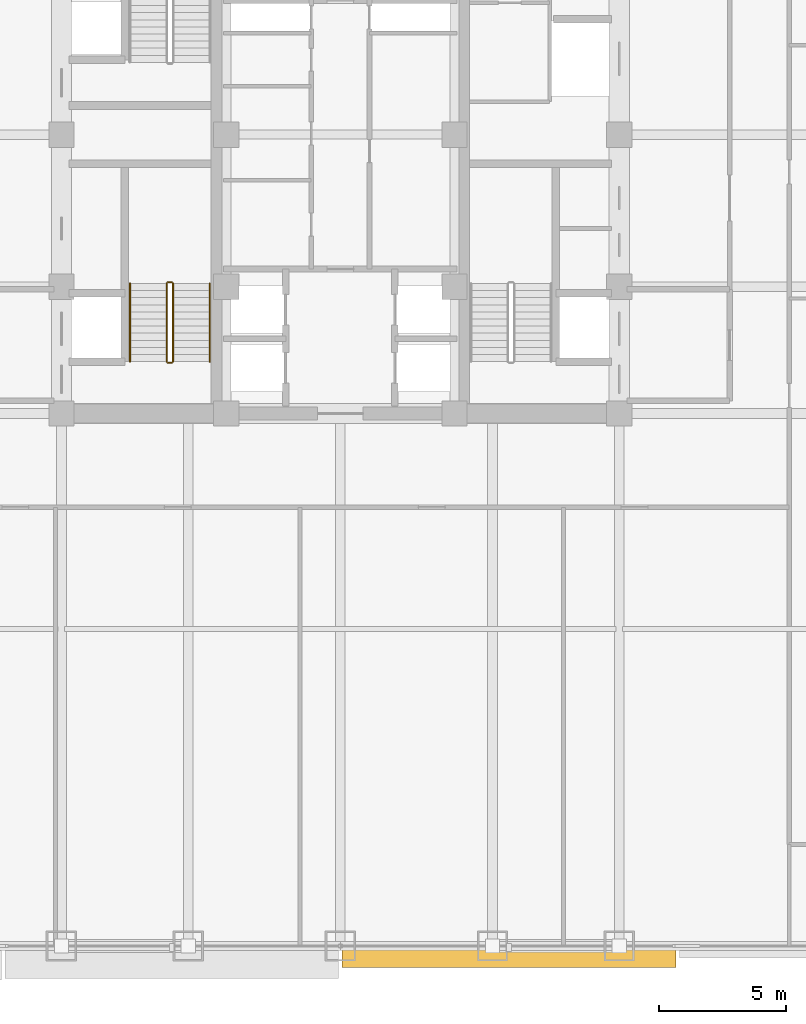
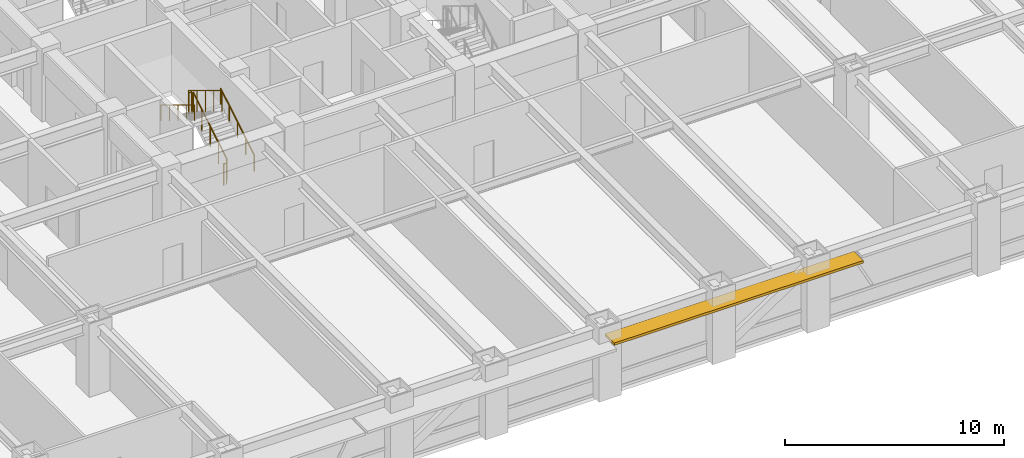
# One storey, part 29 of 32: 6 railings, 1 shading device.
"""IFC4 building model written with IfcOpenShell, lengths in metres."""

from ifc_helpers import new_model, si_unit, direction, frame, origin, origin_2d, place, context, subcontext, project, spatial, rectangle, circle, extrude, source, transform, mapped, material, layer, layer_set, type_object, element, save


model = new_model("IFC4")

# Units and contexts
model_context = context("Model", 3, precision=1e-05, world=origin(), true_north=direction((0.0, 1.0)))
body_context = subcontext(model_context, "Body", "Model", "MODEL_VIEW")
ifc_project = project(units=[si_unit("LENGTHUNIT", "METRE"), si_unit("AREAUNIT", "SQUARE_METRE"), si_unit("VOLUMEUNIT", "CUBIC_METRE"), si_unit("PLANEANGLEUNIT", "RADIAN"), si_unit("MASSUNIT", "GRAM", prefix="KILO")], contexts=[model_context])

# Site, building, storey
site_placement = place(None, origin())
site = spatial("IfcSite", under=ifc_project, at=site_placement, CompositionType="ELEMENT")
building_placement = place(site_placement, origin())
building = spatial("IfcBuilding", under=site, at=building_placement, Name="Khorayat Bourse Tower", CompositionType="ELEMENT")
storey_placement = place(building_placement, frame((0.0, 0.0, 136.5)))
storey = spatial("IfcBuildingStorey", under=building, at=storey_placement, Name="L31", CompositionType="ELEMENT", Elevation=136.5)

# Shading device
ifc_material_1 = material(Name="Precast concrete C45/55", Category="concrete")
ifc_layer = layer(ifc_material_1, 0.139892578125)
ifc_layer_set = layer_set([ifc_layer], Name="Precast concrete C45/55")
shading_device_type = type_object("IfcShadingDeviceType", Name="SHD-WAVE-TRAY-B", PredefinedType="USERDEFINED", material=ifc_layer_set)
shared_shape_1 = source(origin(), body_context, "Body", "SweptSolid", [
    extrude(rectangle(XDim=13.159912109375, YDim=0.85986328125, at=origin_2d()), origin(), (0.0, 0.0, 1.0), 0.139892578125),
])
shading_device_placement = place(storey_placement, frame((6.64990234375, -32.409912109375, 3.08984375), z_axis=(0.0, 0.0, 1.0), x_axis=(1.0, 0.0, 0.0)))
element("IfcShadingDevice", 1, at=shading_device_placement, inside=storey, type_object=shading_device_type, Name="L31 Sinusoidal Wave Sunshade Tray S-3", ObjectType="SUNSHADE", PredefinedType="USERDEFINED", context=body_context, shape_type="MappedRepresentation", body=[
    mapped(shared_shape_1, transform((0.0, 0.0, 0.0), scale=1.0)),
])

# Railings
ifc_material_2 = material(Name="Powder-coated steel balustrade", Category="steel")
railing_type_1 = type_object("IfcRailingType", Name="RLG-GUARD-1200", PredefinedType="GUARDRAIL", material=ifc_material_2)
shared_shape_2 = source(origin(), body_context, "Body", "SweptSolid", [
    extrude(circle(Radius=0.02392578125, at=origin_2d()), frame((0.0, 0.0, 1.17578125), z_axis=(-1.0, 0.0, 0.0), x_axis=(0.0, -1.0, 0.0)), (0.0, 0.0, 1.0), 0.150146484375),
    extrude(circle(Radius=0.02099609375, at=origin_2d()), origin(), (0.0, 0.0, 1.0), 1.15185546875),
    extrude(circle(Radius=0.02099609375, at=origin_2d()), frame((-0.150146484375, 0.0, 0.0)), (0.0, 0.0, 1.0), 1.15185546875),
])
for number, where, name in (
    (2, (-6.64990234375, -5.820068359375, 2.050048828125), "L31 ST-1 stair guard 2"),
    (3, (-6.64990234375, -9.0, 0.0), "L31 ST-1 stair guard 4"),
):
    element("IfcRailing", number, at=place(storey_placement, frame(where)), inside=storey, type_object=railing_type_1, Name=name, PredefinedType="GUARDRAIL", context=body_context, shape_type="MappedRepresentation", body=[
        mapped(shared_shape_2, transform((0.0, 0.0, 0.0), scale=1.0)),
    ])
shared_shape_3 = source(origin(), body_context, "Body", "SweptSolid", [
    extrude(circle(Radius=0.02392578125, at=origin_2d()), frame((0.0, 0.0, 1.17578125), z_axis=(0.0, 0.853647949592, 0.520850437417), x_axis=(-1.0, 0.0, 0.0)), (0.0, 0.0, 1.0), 3.60791015625),
    extrude(circle(Radius=0.02099609375, at=origin_2d()), origin(), (0.0, 0.0, 1.0), 1.15185546875),
    extrude(circle(Radius=0.02099609375, at=origin_2d()), frame((0.0, 0.77001953125, 0.4697265625)), (0.0, 0.0, 1.0), 1.15185546875),
    extrude(circle(Radius=0.02099609375, at=origin_2d()), frame((0.0, 1.5400390625, 0.939453125)), (0.0, 0.0, 1.0), 1.15185546875),
    extrude(circle(Radius=0.02099609375, at=origin_2d()), frame((0.0, 2.309814453125, 1.409423828125)), (0.0, 0.0, 1.0), 1.15185546875),
    extrude(circle(Radius=0.02099609375, at=origin_2d()), frame((0.0, 3.079833984375, 1.879150390625)), (0.0, 0.0, 1.0), 1.15185546875),
])
railing_1_placement = place(storey_placement, frame((-6.60009765625, -8.949951171875, 0.1708984375)))
element("IfcRailing", 4, at=railing_1_placement, inside=storey, type_object=railing_type_1, Name="L31 ST-1 stair guard 1", PredefinedType="GUARDRAIL", context=body_context, shape_type="MappedRepresentation", body=[
    mapped(shared_shape_3, transform((0.0, 0.0, 0.0), scale=1.0)),
])
shared_shape_4 = source(origin(), body_context, "Body", "SweptSolid", [
    extrude(circle(Radius=0.02392578125, at=origin_2d()), frame((0.0, 0.0, 1.17578125), z_axis=(0.0, -0.853647949592, 0.520850437417), x_axis=(1.0, 0.0, 0.0)), (0.0, 0.0, 1.0), 3.60791015625),
    extrude(circle(Radius=0.02099609375, at=origin_2d()), origin(), (0.0, 0.0, 1.0), 1.15185546875),
    extrude(circle(Radius=0.02099609375, at=origin_2d()), frame((0.0, -0.77001953125, 0.4697265625)), (0.0, 0.0, 1.0), 1.15185546875),
    extrude(circle(Radius=0.02099609375, at=origin_2d()), frame((0.0, -1.5400390625, 0.939453125)), (0.0, 0.0, 1.0), 1.15185546875),
    extrude(circle(Radius=0.02099609375, at=origin_2d()), frame((0.0, -2.309814453125, 1.409423828125)), (0.0, 0.0, 1.0), 1.15185546875),
    extrude(circle(Radius=0.02099609375, at=origin_2d()), frame((0.0, -3.079833984375, 1.879150390625)), (0.0, 0.0, 1.0), 1.15185546875),
])
railing_2_placement = place(storey_placement, frame((-6.85009765625, -5.8701171875, 2.220947265625)))
element("IfcRailing", 5, at=railing_2_placement, inside=storey, type_object=railing_type_1, Name="L31 ST-1 stair guard 3", PredefinedType="GUARDRAIL", context=body_context, shape_type="MappedRepresentation", body=[
    mapped(shared_shape_4, transform((0.0, 0.0, 0.0), scale=1.0)),
])
ifc_material_3 = material(Name="Brushed bronze stainless-steel handrail", Category="steel")
railing_type_2 = type_object("IfcRailingType", Name="RLG-HAND-900", PredefinedType="HANDRAIL", material=ifc_material_3)
shared_shape_5 = source(origin(), body_context, "Body", "SweptSolid", [
    extrude(circle(Radius=0.02392578125, at=origin_2d()), frame((0.0, 0.0, 0.8759765625), z_axis=(0.0, 0.853647949592, 0.520850437417), x_axis=(-1.0, 0.0, 0.0)), (0.0, 0.0, 1.0), 3.60791015625),
    extrude(circle(Radius=0.02099609375, at=origin_2d()), origin(), (0.0, 0.0, 1.0), 0.851806640625),
    extrude(circle(Radius=0.02099609375, at=origin_2d()), frame((0.0, 0.77001953125, 0.4697265625)), (0.0, 0.0, 1.0), 0.851806640625),
    extrude(circle(Radius=0.02099609375, at=origin_2d()), frame((0.0, 1.5400390625, 0.939453125)), (0.0, 0.0, 1.0), 0.851806640625),
    extrude(circle(Radius=0.02099609375, at=origin_2d()), frame((0.0, 2.309814453125, 1.409423828125)), (0.0, 0.0, 1.0), 0.851806640625),
    extrude(circle(Radius=0.02099609375, at=origin_2d()), frame((0.0, 3.079833984375, 1.879150390625)), (0.0, 0.0, 1.0), 0.851806640625),
])
railing_3_placement = place(storey_placement, frame((-5.14990234375, -8.949951171875, 0.1708984375)))
element("IfcRailing", 6, at=railing_3_placement, inside=storey, type_object=railing_type_2, Name="L31 ST-1 stair handrail 1", PredefinedType="HANDRAIL", context=body_context, shape_type="MappedRepresentation", body=[
    mapped(shared_shape_5, transform((0.0, 0.0, 0.0), scale=1.0)),
])
shared_shape_6 = source(origin(), body_context, "Body", "SweptSolid", [
    extrude(circle(Radius=0.02392578125, at=origin_2d()), frame((0.0, 0.0, 0.8759765625), z_axis=(0.0, -0.853647949592, 0.520850437417), x_axis=(1.0, 0.0, 0.0)), (0.0, 0.0, 1.0), 3.60791015625),
    extrude(circle(Radius=0.02099609375, at=origin_2d()), origin(), (0.0, 0.0, 1.0), 0.851806640625),
    extrude(circle(Radius=0.02099609375, at=origin_2d()), frame((0.0, -0.77001953125, 0.4697265625)), (0.0, 0.0, 1.0), 0.851806640625),
    extrude(circle(Radius=0.02099609375, at=origin_2d()), frame((0.0, -1.5400390625, 0.939453125)), (0.0, 0.0, 1.0), 0.851806640625),
    extrude(circle(Radius=0.02099609375, at=origin_2d()), frame((0.0, -2.309814453125, 1.409423828125)), (0.0, 0.0, 1.0), 0.851806640625),
    extrude(circle(Radius=0.02099609375, at=origin_2d()), frame((0.0, -3.079833984375, 1.879150390625)), (0.0, 0.0, 1.0), 0.851806640625),
])
railing_4_placement = place(storey_placement, frame((-8.300048828125, -5.8701171875, 2.220947265625)))
element("IfcRailing", 7, at=railing_4_placement, inside=storey, type_object=railing_type_2, Name="L31 ST-1 stair handrail 2", PredefinedType="HANDRAIL", context=body_context, shape_type="MappedRepresentation", body=[
    mapped(shared_shape_6, transform((0.0, 0.0, 0.0), scale=1.0)),
])

save(model, "model.ifc")
